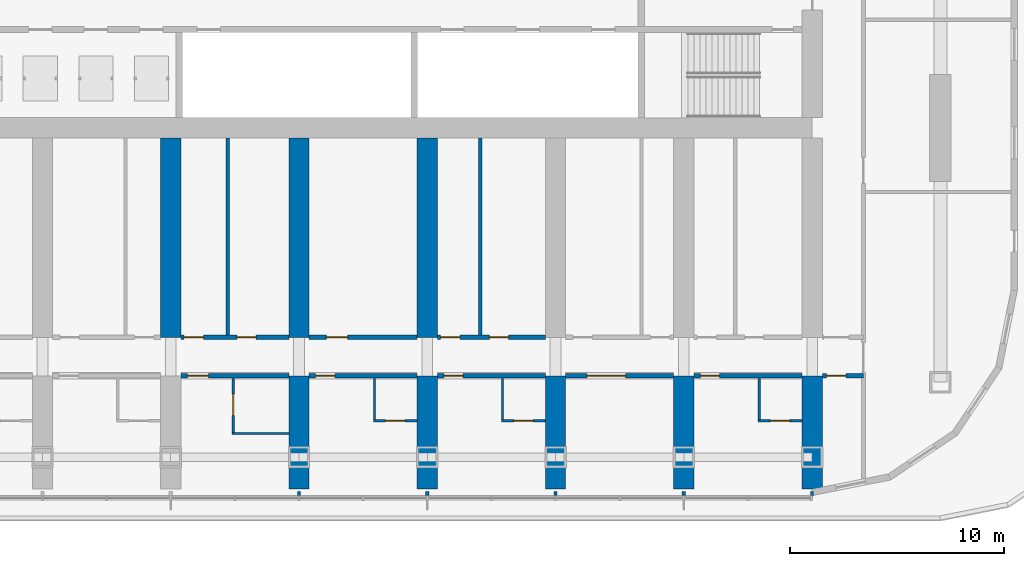
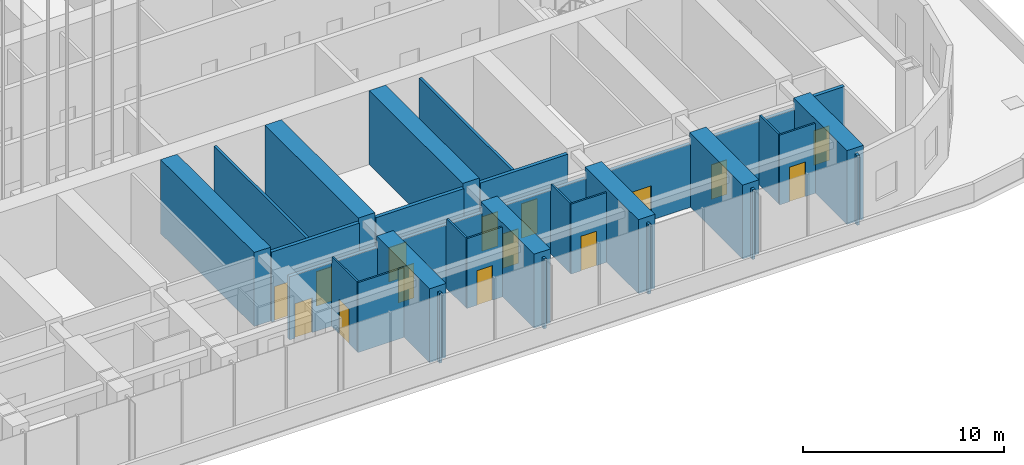
# One storey, part 10 of 31: 32 walls, 15 doors, 15 openings.
"""IFC4 building model written with IfcOpenShell, lengths in metres."""

from ifc_helpers import new_model, si_unit, direction, frame, frame_2d, origin, place, context, subcontext, project, spatial, polyline, rectangle, outline, extrude, material, layer, layer_set, type_object, element, fill, save


model = new_model("IFC4")

# Units and contexts
model_context = context("Model", 3, precision=1e-05, world=origin(), true_north=direction((0.0, 1.0)))
body_context = subcontext(model_context, "Body", "Model", "MODEL_VIEW")
ifc_project = project(units=[si_unit("LENGTHUNIT", "METRE"), si_unit("AREAUNIT", "SQUARE_METRE"), si_unit("VOLUMEUNIT", "CUBIC_METRE"), si_unit("PLANEANGLEUNIT", "RADIAN"), si_unit("MASSUNIT", "GRAM", prefix="KILO")], contexts=[model_context])

# Site, building, storey
site_placement = place(None, origin())
site = spatial("IfcSite", under=ifc_project, at=site_placement, CompositionType="ELEMENT")
building_placement = place(site_placement, origin())
building = spatial("IfcBuilding", under=site, at=building_placement, Name="Orbita Commons", CompositionType="ELEMENT")
storey_placement = place(building_placement, frame((0.0, 0.0, 76.14990234375)))
storey = spatial("IfcBuildingStorey", under=building, at=storey_placement, Name="L18", CompositionType="ELEMENT", Elevation=76.14990234375)

# Wall, opening, door
ifc_material_1 = material(Name="Concrete blockwork", Category="masonry")
ifc_layer_1 = layer(ifc_material_1, 0.199951171875)
ifc_layer_set_1 = layer_set([ifc_layer_1], Name="Concrete blockwork")
wall_type_1 = type_object("IfcWallType", Name="Corridor wall 200 blockwork", PredefinedType="SOLIDWALL", material=ifc_layer_set_1)
wall_1_placement = place(storey_placement, frame((36.47509765625, 14.199951171875, 0.0), z_axis=(0.0, 0.0, 1.0), x_axis=(1.0, 0.0, 0.0)))
wall_1 = element("IfcWall", 1, at=wall_1_placement, inside=storey, type_object=wall_type_1, Name="Corridor wall 200 blockwork L18", PredefinedType="SOLIDWALL", context=body_context, shape_type="SweptSolid", body=[
    extrude(outline(polyline([(0.0, 0.0), (5.0498046875, 0.0), (5.050048828125, 3.85009765625), (0.0, 3.85009765625), (0.0, 0.0)])), frame((0.0, 0.10009765625, 0.0), z_axis=(0.0, -1.0, 0.0), x_axis=(1.0, 0.0, 0.0)), (0.0, 0.0, 1.0), 0.199951171875),
])
opening_1_placement = place(wall_1_placement, frame((0.300048828125, 0.0, 0.0)))
opening_1 = element("IfcOpeningElement", 2, at=opening_1_placement, cuts=wall_1, Name="Opening D06", PredefinedType="OPENING", context=body_context, shape_type="SweptSolid", body=[
    extrude(rectangle(XDim=1.0, YDim=2.10009765625, at=frame_2d((0.5, 1.050048828125))), frame((0.0, 0.10986328125, 0.0), z_axis=(0.0, -1.0, 0.0), x_axis=(1.0, 0.0, 0.0)), (0.0, 0.0, 1.0), 0.219970703125),
])
ifc_material_2 = material(Name="Steel-faced fire door leaf", Category="steel")
door_type_1 = type_object("IfcDoorType", Name="Corridor door 20 min 1000x2100", OperationType="SINGLE_SWING_LEFT", PredefinedType="DOOR", material=ifc_material_2)
door_1_placement = place(opening_1_placement, origin())
door_1 = element("IfcDoor", 3, at=door_1_placement, inside=storey, type_object=door_type_1, Name="Accessible bedroom L18-SF4 door", OperationType="SINGLE_SWING_LEFT", OverallHeight=2.10009765625, OverallWidth=1.0, PredefinedType="DOOR", context=body_context, shape_type="SweptSolid", body=[
    extrude(rectangle(XDim=1.0, YDim=2.10009765625, at=frame_2d((0.5, 1.050048828125))), frame((0.0, 0.02490234375, 0.0), z_axis=(0.0, -1.0, 0.0), x_axis=(1.0, 0.0, 0.0)), (0.0, 0.0, 1.0), 0.050048828125),
])
fill(opening_1, door_1)

wall_2_placement = place(storey_placement, frame((42.47509765625, 14.199951171875, 0.0), z_axis=(0.0, 0.0, 1.0), x_axis=(1.0, 0.0, 0.0)))
wall_2 = element("IfcWall", 4, at=wall_2_placement, inside=storey, type_object=wall_type_1, Name="Corridor wall 200 blockwork L18", PredefinedType="SOLIDWALL", context=body_context, shape_type="SweptSolid", body=[
    extrude(outline(polyline([(0.0, 0.0), (5.0498046875, 0.0), (5.050048828125, 3.85009765625), (0.0, 3.85009765625), (0.0, 0.0)])), frame((0.0, 0.10009765625, 0.0), z_axis=(0.0, -1.0, 0.0), x_axis=(1.0, 0.0, 0.0)), (0.0, 0.0, 1.0), 0.199951171875),
])
opening_2_placement = place(wall_2_placement, frame((0.300048828125, 0.0, 0.0)))
opening_2 = element("IfcOpeningElement", 5, at=opening_2_placement, cuts=wall_2, Name="Opening D11", PredefinedType="OPENING", context=body_context, shape_type="SweptSolid", body=[
    extrude(rectangle(XDim=0.89990234375, YDim=2.10009765625, at=frame_2d((0.449951171875, 1.050048828125))), frame((0.0, 0.10986328125, 0.0), z_axis=(0.0, -1.0, 0.0), x_axis=(1.0, 0.0, 0.0)), (0.0, 0.0, 1.0), 0.219970703125),
])
ifc_material_3 = material(Name="Steel-faced fire door leaf", Category="steel")
door_type_2 = type_object("IfcDoorType", Name="Corridor door 20 min 900x2100", OperationType="SINGLE_SWING_LEFT", PredefinedType="DOOR", material=ifc_material_3)
door_2_placement = place(opening_2_placement, origin())
door_2 = element("IfcDoor", 6, at=door_2_placement, inside=storey, type_object=door_type_2, Name="Guest studio with kitchenette L18-SF5 door", OperationType="SINGLE_SWING_LEFT", OverallHeight=2.10009765625, OverallWidth=0.89990234375, PredefinedType="DOOR", context=body_context, shape_type="SweptSolid", body=[
    extrude(rectangle(XDim=0.89990234375, YDim=2.10009765625, at=frame_2d((0.449951171875, 1.050048828125))), frame((0.0, 0.02490234375, 0.0), z_axis=(0.0, -1.0, 0.0), x_axis=(1.0, 0.0, 0.0)), (0.0, 0.0, 1.0), 0.050048828125),
])
fill(opening_2, door_2)

wall_3_placement = place(storey_placement, frame((48.47509765625, 14.199951171875, 0.0), z_axis=(0.0, 0.0, 1.0), x_axis=(1.0, 0.0, 0.0)))
wall_3 = element("IfcWall", 7, at=wall_3_placement, inside=storey, type_object=wall_type_1, Name="Corridor wall 200 blockwork L18", PredefinedType="SOLIDWALL", context=body_context, shape_type="SweptSolid", body=[
    extrude(outline(polyline([(0.0, 0.0), (5.0498046875, 0.0), (5.050048828125, 3.85009765625), (0.0, 3.85009765625), (0.0, 0.0)])), frame((0.0, 0.10009765625, 0.0), z_axis=(0.0, -1.0, 0.0), x_axis=(1.0, 0.0, 0.0)), (0.0, 0.0, 1.0), 0.199951171875),
])
opening_3_placement = place(wall_3_placement, frame((0.300048828125, 0.0, 0.0)))
opening_3 = element("IfcOpeningElement", 8, at=opening_3_placement, cuts=wall_3, Name="Opening D11", PredefinedType="OPENING", context=body_context, shape_type="SweptSolid", body=[
    extrude(rectangle(XDim=0.89990234375, YDim=2.10009765625, at=frame_2d((0.449951171875, 1.050048828125))), frame((0.0, 0.10986328125, 0.0), z_axis=(0.0, -1.0, 0.0), x_axis=(1.0, 0.0, 0.0)), (0.0, 0.0, 1.0), 0.219970703125),
])
door_3_placement = place(opening_3_placement, origin())
door_3 = element("IfcDoor", 9, at=door_3_placement, inside=storey, type_object=door_type_2, Name="Guest studio with kitchenette L18-SF6 door", OperationType="SINGLE_SWING_LEFT", OverallHeight=2.10009765625, OverallWidth=0.89990234375, PredefinedType="DOOR", context=body_context, shape_type="SweptSolid", body=[
    extrude(rectangle(XDim=0.89990234375, YDim=2.10009765625, at=frame_2d((0.449951171875, 1.050048828125))), frame((0.0, 0.02490234375, 0.0), z_axis=(0.0, -1.0, 0.0), x_axis=(1.0, 0.0, 0.0)), (0.0, 0.0, 1.0), 0.050048828125),
])
fill(opening_3, door_3)

wall_4_placement = place(storey_placement, frame((54.47509765625, 14.199951171875, 0.0), z_axis=(0.0, 0.0, 1.0), x_axis=(1.0, 0.0, 0.0)))
wall_4 = element("IfcWall", 10, at=wall_4_placement, inside=storey, type_object=wall_type_1, Name="Corridor wall 200 blockwork L18", PredefinedType="SOLIDWALL", context=body_context, shape_type="SweptSolid", body=[
    extrude(outline(polyline([(0.0, 0.0), (5.0498046875, 0.0), (5.050048828125, 3.85009765625), (0.0, 3.85009765625), (0.0, 0.0)])), frame((0.0, 0.10009765625, 0.0), z_axis=(0.0, -1.0, 0.0), x_axis=(1.0, 0.0, 0.0)), (0.0, 0.0, 1.0), 0.199951171875),
])
opening_4_placement = place(wall_4_placement, frame((1.0, 0.0, 0.0)))
opening_4 = element("IfcOpeningElement", 11, at=opening_4_placement, cuts=wall_4, Name="Opening D07", PredefinedType="OPENING", context=body_context, shape_type="SweptSolid", body=[
    extrude(rectangle(XDim=1.800048828125, YDim=2.10009765625, at=frame_2d((0.89990234375, 1.050048828125))), frame((0.0, 0.10986328125, 0.0), z_axis=(0.0, -1.0, 0.0), x_axis=(1.0, 0.0, 0.0)), (0.0, 0.0, 1.0), 0.219970703125),
])
ifc_material_4 = material(Name="Steel-faced fire door leaf", Category="steel")
door_type_3 = type_object("IfcDoorType", Name="Double corridor door 20 min 1800x2100", OperationType="DOUBLE_DOOR_SINGLE_SWING", PredefinedType="DOOR", material=ifc_material_4)
door_4_placement = place(opening_4_placement, origin())
door_4 = element("IfcDoor", 12, at=door_4_placement, inside=storey, type_object=door_type_3, Name="Study hall L18-SF7 doors", OperationType="DOUBLE_DOOR_SINGLE_SWING", OverallHeight=2.10009765625, OverallWidth=1.800048828125, PredefinedType="DOOR", context=body_context, shape_type="SweptSolid", body=[
    extrude(rectangle(XDim=1.800048828125, YDim=2.10009765625, at=frame_2d((0.89990234375, 1.050048828125))), frame((0.0, 0.02490234375, 0.0), z_axis=(0.0, -1.0, 0.0), x_axis=(1.0, 0.0, 0.0)), (0.0, 0.0, 1.0), 0.050048828125),
])
fill(opening_4, door_4)

wall_5_placement = place(storey_placement, frame((60.47509765625, 14.199951171875, 0.0), z_axis=(0.0, 0.0, 1.0), x_axis=(1.0, 0.0, 0.0)))
wall_5 = element("IfcWall", 13, at=wall_5_placement, inside=storey, type_object=wall_type_1, Name="Corridor wall 200 blockwork L18", PredefinedType="SOLIDWALL", context=body_context, shape_type="SweptSolid", body=[
    extrude(outline(polyline([(0.0, 0.0), (5.0498046875, 0.0), (5.050048828125, 3.85009765625), (0.0, 3.85009765625), (0.0, 0.0)])), frame((0.0, 0.10009765625, 0.0), z_axis=(0.0, -1.0, 0.0), x_axis=(1.0, 0.0, 0.0)), (0.0, 0.0, 1.0), 0.199951171875),
])
opening_5_placement = place(wall_5_placement, frame((0.300048828125, 0.0, 0.0)))
opening_5 = element("IfcOpeningElement", 14, at=opening_5_placement, cuts=wall_5, Name="Opening D11", PredefinedType="OPENING", context=body_context, shape_type="SweptSolid", body=[
    extrude(rectangle(XDim=0.89990234375, YDim=2.10009765625, at=frame_2d((0.449951171875, 1.050048828125))), frame((0.0, 0.10986328125, 0.0), z_axis=(0.0, -1.0, 0.0), x_axis=(1.0, 0.0, 0.0)), (0.0, 0.0, 1.0), 0.219970703125),
])
door_5_placement = place(opening_5_placement, origin())
door_5 = element("IfcDoor", 15, at=door_5_placement, inside=storey, type_object=door_type_2, Name="Guest studio with kitchenette L18-SF8 door", OperationType="SINGLE_SWING_LEFT", OverallHeight=2.10009765625, OverallWidth=0.89990234375, PredefinedType="DOOR", context=body_context, shape_type="SweptSolid", body=[
    extrude(rectangle(XDim=0.89990234375, YDim=2.10009765625, at=frame_2d((0.449951171875, 1.050048828125))), frame((0.0, 0.02490234375, 0.0), z_axis=(0.0, -1.0, 0.0), x_axis=(1.0, 0.0, 0.0)), (0.0, 0.0, 1.0), 0.050048828125),
])
fill(opening_5, door_5)

wall_6_placement = place(storey_placement, frame((66.47509765625, 14.199951171875, 0.0), z_axis=(0.0, 0.0, 1.0), x_axis=(1.0, 0.0, 0.0)))
wall_6 = element("IfcWall", 16, at=wall_6_placement, inside=storey, type_object=wall_type_1, Name="Corridor wall 200 blockwork L18", PredefinedType="SOLIDWALL", context=body_context, shape_type="SweptSolid", body=[
    extrude(rectangle(XDim=1.9248046875, YDim=0.199951171875, at=frame_2d((0.96240234375, 0.0))), origin(), (0.0, 0.0, 1.0), 4.25),
])
opening_6_placement = place(wall_6_placement, frame((0.199951171875, 0.0, 0.0)))
opening_6 = element("IfcOpeningElement", 17, at=opening_6_placement, cuts=wall_6, Name="Opening D05", PredefinedType="OPENING", context=body_context, shape_type="SweptSolid", body=[
    extrude(rectangle(XDim=0.89990234375, YDim=2.10009765625, at=frame_2d((0.449951171875, 1.050048828125))), frame((0.0, 0.10986328125, 0.0), z_axis=(0.0, -1.0, 0.0), x_axis=(1.0, 0.0, 0.0)), (0.0, 0.0, 1.0), 0.219970703125),
])
ifc_material_5 = material(Name="Steel-faced fire door leaf", Category="steel")
door_type_4 = type_object("IfcDoorType", Name="Service door 20 min 900x2100", OperationType="SINGLE_SWING_LEFT", PredefinedType="DOOR", material=ifc_material_5)
door_6_placement = place(opening_6_placement, origin())
door_6 = element("IfcDoor", 18, at=door_6_placement, inside=storey, type_object=door_type_4, Name="Linen store L18-KES door", OperationType="SINGLE_SWING_LEFT", OverallHeight=2.10009765625, OverallWidth=0.89990234375, PredefinedType="DOOR", context=body_context, shape_type="SweptSolid", body=[
    extrude(rectangle(XDim=0.89990234375, YDim=2.10009765625, at=frame_2d((0.449951171875, 1.050048828125))), frame((0.0, 0.02490234375, 0.0), z_axis=(0.0, -1.0, 0.0), x_axis=(1.0, 0.0, 0.0)), (0.0, 0.0, 1.0), 0.050048828125),
])
fill(opening_6, door_6)

# Wall, openings, doors
ifc_material_6 = material(Name="Hollow concrete block 200", Category="concrete")
ifc_layer_2 = layer(ifc_material_6, 0.199951171875)
ifc_layer_set_2 = layer_set([ifc_layer_2], Name="Hollow concrete block 200")
wall_type_2 = type_object("IfcWallType", Name="Corridor wall 200 hollow concrete block", PredefinedType="SOLIDWALL", material=ifc_layer_set_2)
wall_7_placement = place(storey_placement, frame((36.47509765625, 16.0, 0.0), z_axis=(0.0, 0.0, 1.0), x_axis=(1.0, 0.0, 0.0)))
wall_7 = element("IfcWall", 19, at=wall_7_placement, inside=storey, type_object=wall_type_2, Name="Corridor wall 200 hollow concrete block L18", PredefinedType="SOLIDWALL", context=body_context, shape_type="SweptSolid", body=[
    extrude(rectangle(XDim=5.0498046875, YDim=0.199951171875, at=frame_2d((2.52490234375, 0.0))), origin(), (0.0, 0.0, 1.0), 4.25),
])
opening_7_placement = place(wall_7_placement, frame((0.14990234375, 0.0, 0.0)))
opening_7 = element("IfcOpeningElement", 20, at=opening_7_placement, cuts=wall_7, Name="Opening D11", PredefinedType="OPENING", context=body_context, shape_type="SweptSolid", body=[
    extrude(rectangle(XDim=0.89990234375, YDim=2.10009765625, at=frame_2d((0.449951171875, 1.050048828125))), frame((0.0, 0.10986328125, 0.0), z_axis=(0.0, -1.0, 0.0), x_axis=(1.0, 0.0, 0.0)), (0.0, 0.0, 1.0), 0.219970703125),
])
opening_8_placement = place(wall_7_placement, frame((2.614990234375, 0.0, 0.0)))
opening_8 = element("IfcOpeningElement", 21, at=opening_8_placement, cuts=wall_7, Name="Opening D11", PredefinedType="OPENING", context=body_context, shape_type="SweptSolid", body=[
    extrude(rectangle(XDim=0.89990234375, YDim=2.10009765625, at=frame_2d((0.449951171875, 1.050048828125))), frame((0.0, 0.10986328125, 0.0), z_axis=(0.0, -1.0, 0.0), x_axis=(1.0, 0.0, 0.0)), (0.0, 0.0, 1.0), 0.219970703125),
])
door_7_placement = place(opening_7_placement, origin())
door_7 = element("IfcDoor", 22, at=door_7_placement, inside=storey, type_object=door_type_2, Name="Equipment store L18-BDS36n door", OperationType="SINGLE_SWING_LEFT", OverallHeight=2.10009765625, OverallWidth=0.89990234375, PredefinedType="DOOR", context=body_context, shape_type="SweptSolid", body=[
    extrude(rectangle(XDim=0.89990234375, YDim=2.10009765625, at=frame_2d((0.449951171875, 1.050048828125))), frame((0.0, 0.02490234375, 0.0), z_axis=(0.0, -1.0, 0.0), x_axis=(1.0, 0.0, 0.0)), (0.0, 0.0, 1.0), 0.050048828125),
])
fill(opening_7, door_7)
door_8_placement = place(opening_8_placement, origin())
door_8 = element("IfcDoor", 23, at=door_8_placement, inside=storey, type_object=door_type_2, Name="Meeting room L18-BDS36 door", OperationType="SINGLE_SWING_LEFT", OverallHeight=2.10009765625, OverallWidth=0.89990234375, PredefinedType="DOOR", context=body_context, shape_type="SweptSolid", body=[
    extrude(rectangle(XDim=0.89990234375, YDim=2.10009765625, at=frame_2d((0.449951171875, 1.050048828125))), frame((0.0, 0.02490234375, 0.0), z_axis=(0.0, -1.0, 0.0), x_axis=(1.0, 0.0, 0.0)), (0.0, 0.0, 1.0), 0.050048828125),
])
fill(opening_8, door_8)

# Wall, opening, door
wall_8_placement = place(storey_placement, frame((42.47509765625, 16.0, 0.0), z_axis=(0.0, 0.0, 1.0), x_axis=(1.0, 0.0, 0.0)))
wall_8 = element("IfcWall", 24, at=wall_8_placement, inside=storey, type_object=wall_type_2, Name="Corridor wall 200 hollow concrete block L18", PredefinedType="SOLIDWALL", context=body_context, shape_type="SweptSolid", body=[
    extrude(rectangle(XDim=5.0498046875, YDim=0.199951171875, at=frame_2d((2.52490234375, 0.0))), origin(), (0.0, 0.0, 1.0), 4.25),
])
opening_9_placement = place(wall_8_placement, frame((0.800048828125, 0.0, 0.0)))
opening_9 = element("IfcOpeningElement", 25, at=opening_9_placement, cuts=wall_8, Name="Opening D06", PredefinedType="OPENING", context=body_context, shape_type="SweptSolid", body=[
    extrude(rectangle(XDim=1.0, YDim=2.10009765625, at=frame_2d((0.5, 1.050048828125))), frame((0.0, 0.10986328125, 0.0), z_axis=(0.0, -1.0, 0.0), x_axis=(1.0, 0.0, 0.0)), (0.0, 0.0, 1.0), 0.219970703125),
])
door_9_placement = place(opening_9_placement, origin())
door_9 = element("IfcDoor", 26, at=door_9_placement, inside=storey, type_object=door_type_1, Name="Furniture store L18-BDS42 door", OperationType="SINGLE_SWING_LEFT", OverallHeight=2.10009765625, OverallWidth=1.0, PredefinedType="DOOR", context=body_context, shape_type="SweptSolid", body=[
    extrude(rectangle(XDim=1.0, YDim=2.10009765625, at=frame_2d((0.5, 1.050048828125))), frame((0.0, 0.02490234375, 0.0), z_axis=(0.0, -1.0, 0.0), x_axis=(1.0, 0.0, 0.0)), (0.0, 0.0, 1.0), 0.050048828125),
])
fill(opening_9, door_9)

# Wall, openings, doors
wall_9_placement = place(storey_placement, frame((48.47509765625, 16.0, 0.0), z_axis=(0.0, 0.0, 1.0), x_axis=(1.0, 0.0, 0.0)))
wall_9 = element("IfcWall", 27, at=wall_9_placement, inside=storey, type_object=wall_type_2, Name="Corridor wall 200 hollow concrete block L18", PredefinedType="SOLIDWALL", context=body_context, shape_type="SweptSolid", body=[
    extrude(rectangle(XDim=5.0498046875, YDim=0.199951171875, at=frame_2d((2.52490234375, 0.0))), origin(), (0.0, 0.0, 1.0), 4.25),
])
opening_10_placement = place(wall_9_placement, frame((0.14990234375, 0.0, 0.0)))
opening_10 = element("IfcOpeningElement", 28, at=opening_10_placement, cuts=wall_9, Name="Opening D11", PredefinedType="OPENING", context=body_context, shape_type="SweptSolid", body=[
    extrude(rectangle(XDim=0.89990234375, YDim=2.10009765625, at=frame_2d((0.449951171875, 1.050048828125))), frame((0.0, 0.10986328125, 0.0), z_axis=(0.0, -1.0, 0.0), x_axis=(1.0, 0.0, 0.0)), (0.0, 0.0, 1.0), 0.219970703125),
])
opening_11_placement = place(wall_9_placement, frame((2.425048828125, 0.0, 0.0)))
opening_11 = element("IfcOpeningElement", 29, at=opening_11_placement, cuts=wall_9, Name="Opening D11", PredefinedType="OPENING", context=body_context, shape_type="SweptSolid", body=[
    extrude(rectangle(XDim=0.89990234375, YDim=2.10009765625, at=frame_2d((0.449951171875, 1.050048828125))), frame((0.0, 0.10986328125, 0.0), z_axis=(0.0, -1.0, 0.0), x_axis=(1.0, 0.0, 0.0)), (0.0, 0.0, 1.0), 0.219970703125),
])
door_10_placement = place(opening_10_placement, origin())
door_10 = element("IfcDoor", 30, at=door_10_placement, inside=storey, type_object=door_type_2, Name="Battery and UPS room L18-BDS48n door", OperationType="SINGLE_SWING_LEFT", OverallHeight=2.10009765625, OverallWidth=0.89990234375, PredefinedType="DOOR", context=body_context, shape_type="SweptSolid", body=[
    extrude(rectangle(XDim=0.89990234375, YDim=2.10009765625, at=frame_2d((0.449951171875, 1.050048828125))), frame((0.0, 0.02490234375, 0.0), z_axis=(0.0, -1.0, 0.0), x_axis=(1.0, 0.0, 0.0)), (0.0, 0.0, 1.0), 0.050048828125),
])
fill(opening_10, door_10)
door_11_placement = place(opening_11_placement, origin())
door_11 = element("IfcDoor", 31, at=door_11_placement, inside=storey, type_object=door_type_2, Name="Guest linen store L18-BDS48 door", OperationType="SINGLE_SWING_LEFT", OverallHeight=2.10009765625, OverallWidth=0.89990234375, PredefinedType="DOOR", context=body_context, shape_type="SweptSolid", body=[
    extrude(rectangle(XDim=0.89990234375, YDim=2.10009765625, at=frame_2d((0.449951171875, 1.050048828125))), frame((0.0, 0.02490234375, 0.0), z_axis=(0.0, -1.0, 0.0), x_axis=(1.0, 0.0, 0.0)), (0.0, 0.0, 1.0), 0.050048828125),
])
fill(opening_11, door_11)

# Walls
ifc_material_7 = material(Name="Concrete C50/60", Category="concrete")
ifc_layer_3 = layer(ifc_material_7, 0.949951171875)
ifc_layer_set_3 = layer_set([ifc_layer_3], Name="Concrete C50/60")
wall_type_3 = type_object("IfcWallType", Name="Cross wall 950 C50/60", PredefinedType="SHEAR", material=ifc_layer_set_3)
wall_10_placement = place(storey_placement, frame((36.0, 16.0, 0.0), z_axis=(0.0, 0.0, 1.0), x_axis=(0.0, 1.0, 0.0)))
element("IfcWall", 32, at=wall_10_placement, inside=storey, type_object=wall_type_3, Name="Cross wall 7 south inner L18", PredefinedType="SHEAR", context=body_context, shape_type="SweptSolid", body=[
    extrude(rectangle(XDim=9.324951171875, YDim=0.949951171875, at=frame_2d((4.66259765625, 0.0))), origin(), (0.0, 0.0, 1.0), 4.5),
])
wall_11_placement = place(storey_placement, frame((42.0, 8.89990234375, 0.0), z_axis=(0.0, 0.0, 1.0), x_axis=(0.0, 1.0, 0.0)))
element("IfcWall", 33, at=wall_11_placement, inside=storey, type_object=wall_type_3, Name="Cross wall 8 south outer L18", PredefinedType="SHEAR", context=body_context, shape_type="SweptSolid", body=[
    extrude(rectangle(XDim=5.300048828125, YDim=0.949951171875, at=frame_2d((2.64990234375, 0.0))), origin(), (0.0, 0.0, 1.0), 4.5),
])
wall_12_placement = place(storey_placement, frame((42.0, 16.0, 0.0), z_axis=(0.0, 0.0, 1.0), x_axis=(0.0, 1.0, 0.0)))
element("IfcWall", 34, at=wall_12_placement, inside=storey, type_object=wall_type_3, Name="Cross wall 8 south inner L18", PredefinedType="SHEAR", context=body_context, shape_type="SweptSolid", body=[
    extrude(rectangle(XDim=9.324951171875, YDim=0.949951171875, at=frame_2d((4.66259765625, 0.0))), origin(), (0.0, 0.0, 1.0), 4.5),
])
wall_13_placement = place(storey_placement, frame((48.0, 8.89990234375, 0.0), z_axis=(0.0, 0.0, 1.0), x_axis=(0.0, 1.0, 0.0)))
element("IfcWall", 35, at=wall_13_placement, inside=storey, type_object=wall_type_3, Name="Cross wall 9 south outer L18", PredefinedType="SHEAR", context=body_context, shape_type="SweptSolid", body=[
    extrude(rectangle(XDim=5.300048828125, YDim=0.949951171875, at=frame_2d((2.64990234375, 0.0))), origin(), (0.0, 0.0, 1.0), 4.5),
])
wall_14_placement = place(storey_placement, frame((48.0, 16.0, 0.0), z_axis=(0.0, 0.0, 1.0), x_axis=(0.0, 1.0, 0.0)))
element("IfcWall", 36, at=wall_14_placement, inside=storey, type_object=wall_type_3, Name="Cross wall 9 south inner L18", PredefinedType="SHEAR", context=body_context, shape_type="SweptSolid", body=[
    extrude(rectangle(XDim=9.324951171875, YDim=0.949951171875, at=frame_2d((4.66259765625, 0.0))), origin(), (0.0, 0.0, 1.0), 4.5),
])
for number, where, z_axis, x_axis, name in (
    (37, (54.0, 8.89990234375, 0.0), (0.0, 0.0, 1.0), (0.0, 1.0, 0.0), "Cross wall 10 south outer L18"),
    (38, (60.0, 8.89990234375, 0.0), (0.0, 0.0, 1.0), (0.0, 1.0, 0.0), "Cross wall 11 south outer L18"),
    (39, (66.0, 8.89990234375, 0.0), (0.0, 0.0, 1.0), (0.0, 1.0, 0.0), "Cross wall 12 south outer L18"),
):
    element("IfcWall", number, at=place(storey_placement, frame(where, z_axis=z_axis, x_axis=x_axis)), inside=storey, type_object=wall_type_3, Name=name, PredefinedType="SHEAR", context=body_context, shape_type="SweptSolid", body=[
        extrude(rectangle(XDim=5.300048828125, YDim=0.949951171875, at=frame_2d((2.64990234375, 0.0))), origin(), (0.0, 0.0, 1.0), 4.5),
    ])
ifc_material_8 = material(Name="Moisture-resistant plasterboard on steel studs", Category="steel")
ifc_layer_4 = layer(ifc_material_8, 0.10009765625)
ifc_layer_set_4 = layer_set([ifc_layer_4], Name="Moisture-resistant plasterboard on steel studs")
wall_type_4 = type_object("IfcWallType", Name="En-suite partition 100", PredefinedType="PARTITIONING", material=ifc_layer_set_4)
wall_15_placement = place(storey_placement, frame((38.875, 11.5, 0.0), z_axis=(0.0, 0.0, 1.0), x_axis=(1.0, 0.0, 0.0)))
element("IfcWall", 40, at=wall_15_placement, inside=storey, type_object=wall_type_4, Name="En-suite partition 100 L18", PredefinedType="PARTITIONING", context=body_context, shape_type="SweptSolid", body=[
    extrude(rectangle(XDim=2.64990234375, YDim=0.10009765625, at=frame_2d((1.324951171875, 0.0))), origin(), (0.0, 0.0, 1.0), 4.25),
])

# Wall, opening, door
wall_16_placement = place(storey_placement, frame((38.925048828125, 11.550048828125, 0.0), z_axis=(0.0, 0.0, 1.0), x_axis=(0.0, 1.0, 0.0)))
wall_16 = element("IfcWall", 41, at=wall_16_placement, inside=storey, type_object=wall_type_4, Name="En-suite partition 100 L18", PredefinedType="PARTITIONING", context=body_context, shape_type="SweptSolid", body=[
    extrude(outline(polyline([(0.0, 0.0), (2.550048828125, 0.0), (2.550048828125, 3.85009765625), (2.501953125, 3.85009765625), (2.5, 4.25), (0.0, 4.25), (0.0, 0.0)])), frame((0.0, 0.050048828125, 0.0), z_axis=(0.0, -1.0, 0.0), x_axis=(1.0, 0.0, 0.0)), (0.0, 0.0, 1.0), 0.10009765625),
])
opening_12_placement = place(wall_16_placement, frame((0.800048828125, 0.0, 0.0)))
opening_12 = element("IfcOpeningElement", 42, at=opening_12_placement, cuts=wall_16, Name="Opening D13", PredefinedType="OPENING", context=body_context, shape_type="SweptSolid", body=[
    extrude(rectangle(XDim=1.0, YDim=2.10009765625, at=frame_2d((0.5, 1.050048828125))), frame((0.0, 0.06005859375, 0.0), z_axis=(0.0, -1.0, 0.0), x_axis=(1.0, 0.0, 0.0)), (0.0, 0.0, 1.0), 0.1201171875),
])
ifc_material_9 = material(Name="Laminated timber door leaf", Category="wood")
door_type_5 = type_object("IfcDoorType", Name="En-suite door 1000x2100", OperationType="SINGLE_SWING_RIGHT", PredefinedType="DOOR", material=ifc_material_9)
door_12_placement = place(opening_12_placement, origin())
door_12 = element("IfcDoor", 43, at=door_12_placement, inside=storey, type_object=door_type_5, Name="Accessible shower room L18-SF4 door", OperationType="SINGLE_SWING_RIGHT", OverallHeight=2.10009765625, OverallWidth=1.0, PredefinedType="DOOR", context=body_context, shape_type="SweptSolid", body=[
    extrude(rectangle(XDim=1.0, YDim=2.10009765625, at=frame_2d((0.5, 1.050048828125))), frame((0.0, 0.02490234375, 0.0), z_axis=(0.0, -1.0, 0.0), x_axis=(1.0, 0.0, 0.0)), (0.0, 0.0, 1.0), 0.050048828125),
])
fill(opening_12, door_12)

wall_17_placement = place(storey_placement, frame((47.52490234375, 12.10009765625, 0.0), z_axis=(0.0, 0.0, 1.0), x_axis=(-1.0, 0.0, 0.0)))
wall_17 = element("IfcWall", 44, at=wall_17_placement, inside=storey, type_object=wall_type_4, Name="En-suite partition 100 L18", PredefinedType="PARTITIONING", context=body_context, shape_type="SweptSolid", body=[
    extrude(rectangle(XDim=2.0498046875, YDim=0.10009765625, at=frame_2d((1.02490234375, 0.0))), origin(), (0.0, 0.0, 1.0), 4.25),
])
opening_13_placement = place(wall_17_placement, frame((0.574951171875, 0.0, 0.0)))
opening_13 = element("IfcOpeningElement", 45, at=opening_13_placement, cuts=wall_17, Name="Opening D09", PredefinedType="OPENING", context=body_context, shape_type="SweptSolid", body=[
    extrude(rectangle(XDim=0.89990234375, YDim=2.10009765625, at=frame_2d((0.449951171875, 1.050048828125))), frame((0.0, 0.06005859375, 0.0), z_axis=(0.0, -1.0, 0.0), x_axis=(1.0, 0.0, 0.0)), (0.0, 0.0, 1.0), 0.1201171875),
])
ifc_material_10 = material(Name="Laminated timber door leaf", Category="wood")
door_type_6 = type_object("IfcDoorType", Name="En-suite door 900x2100", OperationType="SINGLE_SWING_RIGHT", PredefinedType="DOOR", material=ifc_material_10)
door_13_placement = place(opening_13_placement, origin())
door_13 = element("IfcDoor", 46, at=door_13_placement, inside=storey, type_object=door_type_6, Name="En-suite L18-SF5 door", OperationType="SINGLE_SWING_RIGHT", OverallHeight=2.10009765625, OverallWidth=0.89990234375, PredefinedType="DOOR", context=body_context, shape_type="SweptSolid", body=[
    extrude(rectangle(XDim=0.89990234375, YDim=2.10009765625, at=frame_2d((0.449951171875, 1.050048828125))), frame((0.0, 0.02490234375, 0.0), z_axis=(0.0, -1.0, 0.0), x_axis=(1.0, 0.0, 0.0)), (0.0, 0.0, 1.0), 0.050048828125),
])
fill(opening_13, door_13)

# Wall
wall_18_placement = place(storey_placement, frame((45.52490234375, 12.14990234375, 0.0), z_axis=(0.0, 0.0, 1.0), x_axis=(0.0, 1.0, 0.0)))
element("IfcWall", 47, at=wall_18_placement, inside=storey, type_object=wall_type_4, Name="En-suite partition 100 L18", PredefinedType="PARTITIONING", context=body_context, shape_type="SweptSolid", body=[
    extrude(outline(polyline([(0.0, 0.0), (1.9501953125, 0.0), (1.949951171875, 3.85009765625), (1.902099609375, 3.85009765625), (1.89990234375, 4.25), (0.0, 4.25), (0.0, 0.0)])), frame((0.0, 0.050048828125, 0.0), z_axis=(0.0, -1.0, 0.0), x_axis=(1.0, 0.0, 0.0)), (0.0, 0.0, 1.0), 0.10009765625),
])

# Wall, opening, door
wall_19_placement = place(storey_placement, frame((53.52490234375, 12.10009765625, 0.0), z_axis=(0.0, 0.0, 1.0), x_axis=(-1.0, 0.0, 0.0)))
wall_19 = element("IfcWall", 48, at=wall_19_placement, inside=storey, type_object=wall_type_4, Name="En-suite partition 100 L18", PredefinedType="PARTITIONING", context=body_context, shape_type="SweptSolid", body=[
    extrude(rectangle(XDim=2.0498046875, YDim=0.10009765625, at=frame_2d((1.02490234375, 0.0))), origin(), (0.0, 0.0, 1.0), 4.25),
])
opening_14_placement = place(wall_19_placement, frame((0.574951171875, 0.0, 0.0)))
opening_14 = element("IfcOpeningElement", 49, at=opening_14_placement, cuts=wall_19, Name="Opening D09", PredefinedType="OPENING", context=body_context, shape_type="SweptSolid", body=[
    extrude(rectangle(XDim=0.89990234375, YDim=2.10009765625, at=frame_2d((0.449951171875, 1.050048828125))), frame((0.0, 0.06005859375, 0.0), z_axis=(0.0, -1.0, 0.0), x_axis=(1.0, 0.0, 0.0)), (0.0, 0.0, 1.0), 0.1201171875),
])
door_14_placement = place(opening_14_placement, origin())
door_14 = element("IfcDoor", 50, at=door_14_placement, inside=storey, type_object=door_type_6, Name="En-suite L18-SF6 door", OperationType="SINGLE_SWING_RIGHT", OverallHeight=2.10009765625, OverallWidth=0.89990234375, PredefinedType="DOOR", context=body_context, shape_type="SweptSolid", body=[
    extrude(rectangle(XDim=0.89990234375, YDim=2.10009765625, at=frame_2d((0.449951171875, 1.050048828125))), frame((0.0, 0.02490234375, 0.0), z_axis=(0.0, -1.0, 0.0), x_axis=(1.0, 0.0, 0.0)), (0.0, 0.0, 1.0), 0.050048828125),
])
fill(opening_14, door_14)

# Wall
wall_20_placement = place(storey_placement, frame((51.52490234375, 12.14990234375, 0.0), z_axis=(0.0, 0.0, 1.0), x_axis=(0.0, 1.0, 0.0)))
element("IfcWall", 51, at=wall_20_placement, inside=storey, type_object=wall_type_4, Name="En-suite partition 100 L18", PredefinedType="PARTITIONING", context=body_context, shape_type="SweptSolid", body=[
    extrude(outline(polyline([(0.0, 0.0), (1.9501953125, 0.0), (1.949951171875, 3.85009765625), (1.902099609375, 3.85009765625), (1.89990234375, 4.25), (0.0, 4.25), (0.0, 0.0)])), frame((0.0, 0.050048828125, 0.0), z_axis=(0.0, -1.0, 0.0), x_axis=(1.0, 0.0, 0.0)), (0.0, 0.0, 1.0), 0.10009765625),
])

# Wall, opening, door
wall_21_placement = place(storey_placement, frame((65.52490234375, 12.10009765625, 0.0), z_axis=(0.0, 0.0, 1.0), x_axis=(-1.0, 0.0, 0.0)))
wall_21 = element("IfcWall", 52, at=wall_21_placement, inside=storey, type_object=wall_type_4, Name="En-suite partition 100 L18", PredefinedType="PARTITIONING", context=body_context, shape_type="SweptSolid", body=[
    extrude(rectangle(XDim=2.0498046875, YDim=0.10009765625, at=frame_2d((1.02490234375, 0.0))), origin(), (0.0, 0.0, 1.0), 4.25),
])
opening_15_placement = place(wall_21_placement, frame((0.574951171875, 0.0, 0.0)))
opening_15 = element("IfcOpeningElement", 53, at=opening_15_placement, cuts=wall_21, Name="Opening D09", PredefinedType="OPENING", context=body_context, shape_type="SweptSolid", body=[
    extrude(rectangle(XDim=0.89990234375, YDim=2.10009765625, at=frame_2d((0.449951171875, 1.050048828125))), frame((0.0, 0.06005859375, 0.0), z_axis=(0.0, -1.0, 0.0), x_axis=(1.0, 0.0, 0.0)), (0.0, 0.0, 1.0), 0.1201171875),
])
door_15_placement = place(opening_15_placement, origin())
door_15 = element("IfcDoor", 54, at=door_15_placement, inside=storey, type_object=door_type_6, Name="En-suite L18-SF8 door", OperationType="SINGLE_SWING_RIGHT", OverallHeight=2.10009765625, OverallWidth=0.89990234375, PredefinedType="DOOR", context=body_context, shape_type="SweptSolid", body=[
    extrude(rectangle(XDim=0.89990234375, YDim=2.10009765625, at=frame_2d((0.449951171875, 1.050048828125))), frame((0.0, 0.02490234375, 0.0), z_axis=(0.0, -1.0, 0.0), x_axis=(1.0, 0.0, 0.0)), (0.0, 0.0, 1.0), 0.050048828125),
])
fill(opening_15, door_15)

# Walls
wall_22_placement = place(storey_placement, frame((63.52490234375, 12.14990234375, 0.0), z_axis=(0.0, 0.0, 1.0), x_axis=(0.0, 1.0, 0.0)))
element("IfcWall", 55, at=wall_22_placement, inside=storey, type_object=wall_type_4, Name="En-suite partition 100 L18", PredefinedType="PARTITIONING", context=body_context, shape_type="SweptSolid", body=[
    extrude(outline(polyline([(0.0, 0.0), (1.9501953125, 0.0), (1.949951171875, 3.85009765625), (1.902099609375, 3.85009765625), (1.89990234375, 4.25), (0.0, 4.25), (0.0, 0.0)])), frame((0.0, 0.050048828125, 0.0), z_axis=(0.0, -1.0, 0.0), x_axis=(1.0, 0.0, 0.0)), (0.0, 0.0, 1.0), 0.10009765625),
])
ifc_material_11 = material(Name="Gypsum plasterboard on steel studs", Category="steel")
ifc_layer_5 = layer(ifc_material_11, 0.14990234375)
ifc_layer_set_5 = layer_set([ifc_layer_5], Name="Gypsum plasterboard on steel studs")
wall_type_5 = type_object("IfcWallType", Name="Partition 150 plasterboard", PredefinedType="PARTITIONING", material=ifc_layer_set_5)
for number, where, z_axis, x_axis, name in (
    (56, (38.6650390625, 16.10009765625, 0.0), (0.0, 0.0, 1.0), (0.0, 1.0, 0.0), "Partition 150 plasterboard L18"),
    (57, (50.47509765625, 16.10009765625, 0.0), (0.0, 0.0, 1.0), (0.0, 1.0, 0.0), "Partition 150 plasterboard L18"),
):
    element("IfcWall", number, at=place(storey_placement, frame(where, z_axis=z_axis, x_axis=x_axis)), inside=storey, type_object=wall_type_5, Name=name, PredefinedType="PARTITIONING", context=body_context, shape_type="SweptSolid", body=[
        extrude(rectangle(XDim=9.224853515625, YDim=0.14990234375, at=frame_2d((4.6123046875, 0.0))), origin(), (0.0, 0.0, 1.0), 4.25),
    ])
for number, where, z_axis, x_axis, name in (
    (58, (42.0, 8.800048828125, 0.0), (0.0, 0.0, 1.0), (0.0, -1.0, 0.0), "Partition 150 plasterboard L18"),
    (59, (48.0, 8.800048828125, 0.0), (0.0, 0.0, 1.0), (0.0, -1.0, 0.0), "Partition 150 plasterboard L18"),
    (60, (54.0, 8.800048828125, 0.0), (0.0, 0.0, 1.0), (0.0, -1.0, 0.0), "Partition 150 plasterboard L18"),
    (61, (60.0, 8.800048828125, 0.0), (0.0, 0.0, 1.0), (0.0, -1.0, 0.0), "Partition 150 plasterboard L18"),
):
    element("IfcWall", number, at=place(storey_placement, frame(where, z_axis=z_axis, x_axis=x_axis)), inside=storey, type_object=wall_type_5, Name=name, PredefinedType="PARTITIONING", context=body_context, shape_type="SweptSolid", body=[
        extrude(rectangle(XDim=0.18994140625, YDim=0.14990234375, at=frame_2d((0.094970703125, 0.0))), origin(), (0.0, 0.0, 1.0), 4.25),
    ])
wall_23_placement = place(storey_placement, frame((66.0, 8.800048828125, 0.0), z_axis=(0.0, 0.0, 1.0), x_axis=(0.0, -1.0, 0.0)))
element("IfcWall", 62, at=wall_23_placement, inside=storey, type_object=wall_type_5, Name="Partition 150 plasterboard L18", PredefinedType="PARTITIONING", context=body_context, shape_type="SweptSolid", body=[
    extrude(rectangle(XDim=0.219970703125, YDim=0.14990234375, at=frame_2d((0.10986328125, 0.0))), origin(), (0.0, 0.0, 1.0), 4.25),
])

save(model, "model.ifc")
